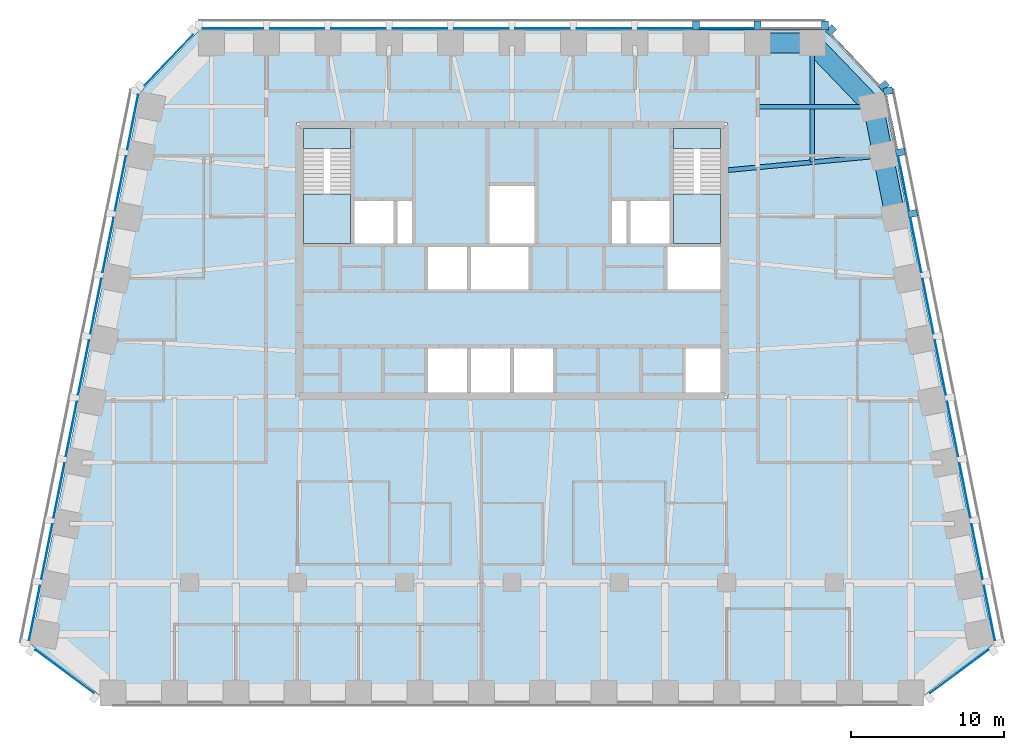
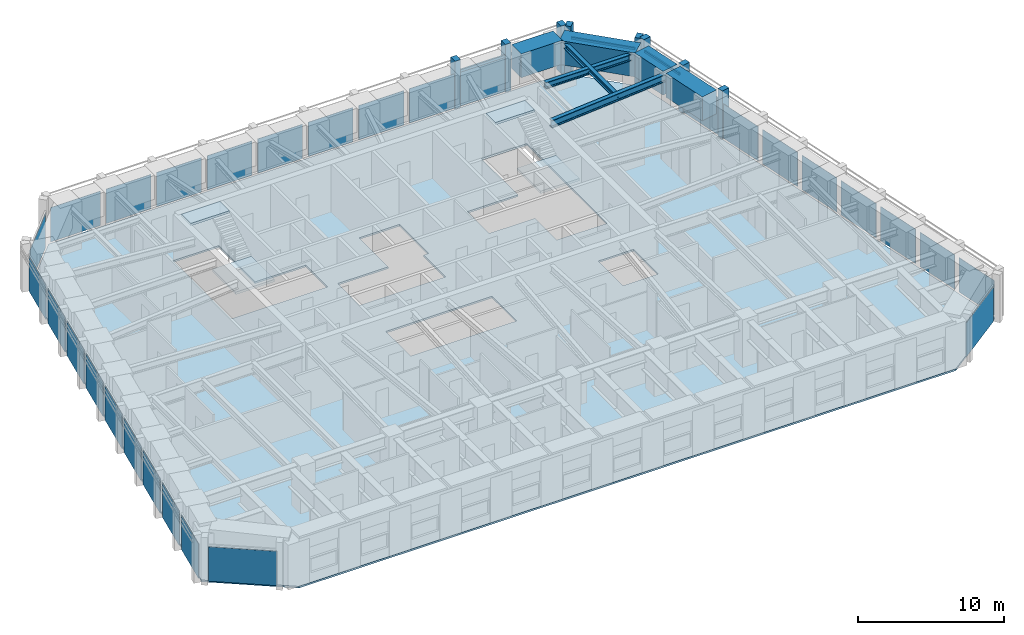
# One storey, part 4 of 11: 29 plates, 13 members, 7 beams, 5 slabs, 9 elements without a shape of their own.
"""IFC4 building model written with IfcOpenShell, lengths in metres."""

from ifc_helpers import new_model, si_unit, direction, frame, origin, origin_2d, place, context, subcontext, project, spatial, polyline, rectangle, i_section, outline, extrude, material, layer, layer_set, material_profile, profile_set, type_object, element, aggregate, save


model = new_model("IFC4")

# Units and contexts
model_context = context("Model", 3, precision=1e-05, world=origin(), true_north=direction((0.0, 1.0)))
body_context = subcontext(model_context, "Body", "Model", "MODEL_VIEW")
ifc_project = project(units=[si_unit("LENGTHUNIT", "METRE"), si_unit("AREAUNIT", "SQUARE_METRE"), si_unit("VOLUMEUNIT", "CUBIC_METRE"), si_unit("PLANEANGLEUNIT", "RADIAN"), si_unit("MASSUNIT", "GRAM", prefix="KILO")], contexts=[model_context])

# Site, building, storey
site_placement = place(None, origin())
site = spatial("IfcSite", under=ifc_project, at=site_placement, CompositionType="ELEMENT")
building_placement = place(site_placement, origin())
building = spatial("IfcBuilding", under=site, at=building_placement, Name="Isbrekke Arena Tower", CompositionType="ELEMENT")
storey_placement = place(building_placement, frame((0.0, 0.0, 268.0)))
storey = spatial("IfcBuildingStorey", under=building, at=storey_placement, Name="L62", CompositionType="ELEMENT", Elevation=268.0)

# Beams
ifc_material_1 = material(Name="Steel S355", Category="steel")
ifc_material_profile_1 = material_profile(ifc_material_1, i_section(OverallWidth=0.304931640625, OverallDepth=0.6201171875, WebThickness=0.02099609375, FlangeThickness=0.0400390625, FilletRadius=0.027099609375, at=origin_2d()), Name="HEM 600")
ifc_profile_set_1 = profile_set([ifc_material_profile_1], Name="Steel S355")
beam_type_1 = type_object("IfcBeamType", Name="B4 HEM 600", PredefinedType="BEAM", material=ifc_profile_set_1)
beam_1_placement = place(storey_placement, frame((24.02685546875, 21.8369140625, 3.5400390625), z_axis=(-0.995574576627, -0.093974796485, 0.0), x_axis=(0.093974796485, -0.995574576627, 0.0)))
element("IfcBeam", 1, at=beam_1_placement, inside=storey, type_object=beam_type_1, Name="B4 beam E-E09 L62", PredefinedType="BEAM", context=body_context, shape_type="SweptSolid", body=[
    extrude(i_section(OverallWidth=0.304931640625, OverallDepth=0.6201171875, WebThickness=0.02099609375, FlangeThickness=0.0400390625, FilletRadius=0.027099609375, at=origin_2d()), origin(), (0.0, 0.0, 1.0), 9.970947265625),
])
ifc_material_2 = material(Name="Steel S355", Category="steel")
ifc_material_profile_2 = material_profile(ifc_material_2, i_section(OverallWidth=0.305908203125, OverallDepth=0.52392578125, WebThickness=0.02099609375, FlangeThickness=0.0400390625, FilletRadius=0.027099609375, at=origin_2d()), Name="HEM 500")
ifc_profile_set_2 = profile_set([ifc_material_profile_2], Name="Steel S355")
beam_type_2 = type_object("IfcBeamType", Name="B5 HEM 500", PredefinedType="BEAM", material=ifc_profile_set_2)
beam_2_placement = place(storey_placement, frame((23.40283203125, 25.029296875, 3.587890625), z_axis=(-1.0, 0.0, 0.0), x_axis=(0.0, -1.0, 0.0)))
element("IfcBeam", 2, at=beam_2_placement, inside=storey, type_object=beam_type_2, Name="B5 beam E-E10 L62", PredefinedType="BEAM", context=body_context, shape_type="SweptSolid", body=[
    extrude(i_section(OverallWidth=0.305908203125, OverallDepth=0.52392578125, WebThickness=0.02099609375, FlangeThickness=0.0400390625, FilletRadius=0.027099609375, at=origin_2d()), origin(), (0.0, 0.0, 1.0), 7.40283203125),
])
ifc_material_3 = material(Name="Steel S355", Category="steel")
ifc_material_profile_3 = material_profile(ifc_material_3, i_section(OverallWidth=0.306884765625, OverallDepth=0.431884765625, WebThickness=0.02099609375, FlangeThickness=0.0400390625, FilletRadius=0.027099609375, at=origin_2d()), Name="HEM 400")
ifc_profile_set_3 = profile_set([ifc_material_profile_3], Name="Steel S355")
beam_type_3 = type_object("IfcBeamType", Name="B6 HEM 400", PredefinedType="BEAM", material=ifc_profile_set_3)
beam_3_placement = place(storey_placement, frame((19.574951171875, 29.02490234375, 3.634033203125), z_axis=(0.0, -1.0, 0.0), x_axis=(1.0, 0.0, 0.0)))
element("IfcBeam", 3, at=beam_3_placement, inside=storey, type_object=beam_type_3, Name="B6 beam N-N01 L62", PredefinedType="BEAM", context=body_context, shape_type="SweptSolid", body=[
    extrude(i_section(OverallWidth=0.306884765625, OverallDepth=0.431884765625, WebThickness=0.02099609375, FlangeThickness=0.0400390625, FilletRadius=0.027099609375, at=origin_2d()), origin(), (0.0, 0.0, 1.0), 7.608154296875),
])

# Curtain wall, members
ifc_material_4 = material(Name="Glazed aluminium curtain wall", Category="aluminium")
curtain_wall_type = type_object("IfcCurtainWallType", Name="CWT TOWER CURTAIN WALL TOP ZONE", PredefinedType="USERDEFINED", material=ifc_material_4)
curtain_wall_1_placement = place(storey_placement, origin())
curtain_wall_1 = element("IfcCurtainWall", 4, at=curtain_wall_1_placement, inside=storey, type_object=curtain_wall_type, Name="CWT curtain wall L62-E", ObjectType="TOWER CURTAIN WALL TOP ZONE", PredefinedType="USERDEFINED")
ifc_material_5 = material(Name="Copper-clad aluminium mullion", Category="aluminium")
ifc_material_profile_4 = material_profile(ifc_material_5, rectangle(XDim=0.449951171875, YDim=0.60009765625, at=origin_2d()), Name="PIER 450X600")
ifc_profile_set_4 = profile_set([ifc_material_profile_4], Name="Copper-clad aluminium mullion")
member_type_1 = type_object("IfcMemberType", Name="CWT-M PIER MULLION 450 x 600", PredefinedType="MULLION", material=ifc_profile_set_4)
member_1_placement = place(storey_placement, frame((26.11865234375, 18.063720703125, 0.0), z_axis=(0.0, 0.0, 1.0), x_axis=(-0.196116135138, 0.980580675691, 0.0)))
member_1 = element("IfcMember", 5, at=member_1_placement, type_object=member_type_1, Name="CWT-M mullion 8", PredefinedType="MULLION", context=body_context, shape_type="SweptSolid", body=[
    extrude(rectangle(XDim=0.449951171875, YDim=0.60009765625, at=origin_2d()), origin(), (0.0, 0.0, 1.0), 4.0),
])
member_2_placement = place(storey_placement, frame((25.318603515625, 22.063720703125, 0.0), z_axis=(0.0, 0.0, 1.0), x_axis=(-0.196116135138, 0.980580675691, 0.0)))
member_2 = element("IfcMember", 6, at=member_2_placement, type_object=member_type_1, Name="CWT-M mullion 9", PredefinedType="MULLION", context=body_context, shape_type="SweptSolid", body=[
    extrude(rectangle(XDim=0.449951171875, YDim=0.60009765625, at=origin_2d()), origin(), (0.0, 0.0, 1.0), 4.0),
])
member_3_placement = place(storey_placement, frame((24.518798828125, 26.063720703125, 0.0), z_axis=(0.0, 0.0, 1.0), x_axis=(-0.196116135138, 0.980580675691, 0.0)))
member_3 = element("IfcMember", 7, at=member_3_placement, type_object=member_type_1, Name="CWT-M mullion 10", PredefinedType="MULLION", context=body_context, shape_type="SweptSolid", body=[
    extrude(rectangle(XDim=0.449951171875, YDim=0.60009765625, at=origin_2d()), origin(), (0.0, 0.0, 1.0), 4.0),
])

curtain_wall_2_placement = place(storey_placement, origin())
curtain_wall_2 = element("IfcCurtainWall", 8, at=curtain_wall_2_placement, inside=storey, type_object=curtain_wall_type, Name="CWT curtain wall L62-EN", ObjectType="TOWER CURTAIN WALL TOP ZONE", PredefinedType="USERDEFINED")
member_4_placement = place(storey_placement, frame((24.244384765625, 26.388671875, 0.0), z_axis=(0.0, 0.0, 1.0), x_axis=(-0.68874946192, 0.72499943359, 0.0)))
member_4 = element("IfcMember", 9, at=member_4_placement, type_object=member_type_1, Name="CWT-M mullion 1", PredefinedType="MULLION", context=body_context, shape_type="SweptSolid", body=[
    extrude(rectangle(XDim=0.449951171875, YDim=0.60009765625, at=origin_2d()), origin(), (0.0, 0.0, 1.0), 4.0),
])
member_5_placement = place(storey_placement, frame((20.795166015625, 30.019775390625, 0.0), z_axis=(0.0, 0.0, 1.0), x_axis=(-0.68874946192, 0.72499943359, 0.0)))
member_5 = element("IfcMember", 10, at=member_5_placement, type_object=member_type_1, Name="CWT-M mullion 2", PredefinedType="MULLION", context=body_context, shape_type="SweptSolid", body=[
    extrude(rectangle(XDim=0.449951171875, YDim=0.60009765625, at=origin_2d()), origin(), (0.0, 0.0, 1.0), 4.0),
])

curtain_wall_3_placement = place(storey_placement, origin())
curtain_wall_3 = element("IfcCurtainWall", 11, at=curtain_wall_3_placement, inside=storey, type_object=curtain_wall_type, Name="CWT curtain wall L62-N", ObjectType="TOWER CURTAIN WALL TOP ZONE", PredefinedType="USERDEFINED")
member_6_placement = place(storey_placement, frame((20.39990234375, 30.324951171875, 0.0), z_axis=(0.0, 0.0, 1.0), x_axis=(-1.0, 0.0, 0.0)))
member_6 = element("IfcMember", 12, at=member_6_placement, type_object=member_type_1, Name="CWT-M mullion 1", PredefinedType="MULLION", context=body_context, shape_type="SweptSolid", body=[
    extrude(rectangle(XDim=0.449951171875, YDim=0.60009765625, at=origin_2d()), origin(), (0.0, 0.0, 1.0), 4.0),
])
member_7_placement = place(storey_placement, frame((16.0, 30.324951171875, 0.0), z_axis=(0.0, 0.0, 1.0), x_axis=(-1.0, 0.0, 0.0)))
member_7 = element("IfcMember", 13, at=member_7_placement, type_object=member_type_1, Name="CWT-M mullion 2", PredefinedType="MULLION", context=body_context, shape_type="SweptSolid", body=[
    extrude(rectangle(XDim=0.449951171875, YDim=0.60009765625, at=origin_2d()), origin(), (0.0, 0.0, 1.0), 4.0),
])
member_8_placement = place(storey_placement, frame((12.0, 30.324951171875, 0.0), z_axis=(0.0, 0.0, 1.0), x_axis=(-1.0, 0.0, 0.0)))
member_8 = element("IfcMember", 14, at=member_8_placement, type_object=member_type_1, Name="CWT-M mullion 3", PredefinedType="MULLION", context=body_context, shape_type="SweptSolid", body=[
    extrude(rectangle(XDim=0.449951171875, YDim=0.60009765625, at=origin_2d()), origin(), (0.0, 0.0, 1.0), 4.0),
])

# Member
ifc_material_6 = material(Name="Aluminium transom", Category="aluminium")
ifc_material_profile_5 = material_profile(ifc_material_6, rectangle(XDim=0.1201171875, YDim=0.199951171875, at=origin_2d()), Name="TRANSOM 120X200")
ifc_profile_set_5 = profile_set([ifc_material_profile_5], Name="Aluminium transom")
member_type_2 = type_object("IfcMemberType", Name="CWT-T TRANSOM 120 x 200", PredefinedType="USERDEFINED", material=ifc_profile_set_5)
member_9_placement = place(storey_placement, frame((25.87841796875, 18.2451171875, 3.0), z_axis=(-0.196090262229, 0.980585849918, 0.0), x_axis=(-0.980585849918, -0.196090262229, 0.0)))
member_9 = element("IfcMember", 15, at=member_9_placement, type_object=member_type_2, Name="CWT-T transom 8", ObjectType="TRANSOM", PredefinedType="USERDEFINED", context=body_context, shape_type="SweptSolid", body=[
    extrude(rectangle(XDim=0.1201171875, YDim=0.199951171875, at=origin_2d()), origin(), (0.0, 0.0, 1.0), 3.62939453125),
])

member_10_placement = place(storey_placement, frame((25.078369140625, 22.2451171875, 3.0), z_axis=(-0.196090262229, 0.980585849918, 0.0), x_axis=(-0.980585849918, -0.196090262229, 0.0)))
member_10 = element("IfcMember", 16, at=member_10_placement, type_object=member_type_2, Name="CWT-T transom 9", ObjectType="TRANSOM", PredefinedType="USERDEFINED", context=body_context, shape_type="SweptSolid", body=[
    extrude(rectangle(XDim=0.1201171875, YDim=0.199951171875, at=origin_2d()), origin(), (0.0, 0.0, 1.0), 3.62939453125),
])

member_11_placement = place(storey_placement, frame((23.944580078125, 26.4140625, 3.0), z_axis=(-0.688771983213, 0.724978037696, 0.0), x_axis=(-0.724978037696, -0.688771983213, 0.0)))
member_11 = element("IfcMember", 17, at=member_11_placement, type_object=member_type_2, Name="CWT-T transom 1", ObjectType="TRANSOM", PredefinedType="USERDEFINED", context=body_context, shape_type="SweptSolid", body=[
    extrude(rectangle(XDim=0.1201171875, YDim=0.199951171875, at=origin_2d()), origin(), (0.0, 0.0, 1.0), 4.558349609375),
])

aggregate(curtain_wall_2, [member_4, member_5, member_11])

member_12_placement = place(storey_placement, frame((20.175048828125, 30.125, 3.0), z_axis=(-1.0, 0.0, 0.0), x_axis=(0.0, -1.0, 0.0)))
member_12 = element("IfcMember", 18, at=member_12_placement, type_object=member_type_2, Name="CWT-T transom 1", ObjectType="TRANSOM", PredefinedType="USERDEFINED", context=body_context, shape_type="SweptSolid", body=[
    extrude(rectangle(XDim=0.1201171875, YDim=0.199951171875, at=origin_2d()), origin(), (0.0, 0.0, 1.0), 3.949951171875),
])

member_13_placement = place(storey_placement, frame((15.77490234375, 30.125, 3.0), z_axis=(-1.0, 0.0, 0.0), x_axis=(0.0, -1.0, 0.0)))
member_13 = element("IfcMember", 19, at=member_13_placement, type_object=member_type_2, Name="CWT-T transom 2", ObjectType="TRANSOM", PredefinedType="USERDEFINED", context=body_context, shape_type="SweptSolid", body=[
    extrude(rectangle(XDim=0.1201171875, YDim=0.199951171875, at=origin_2d()), origin(), (0.0, 0.0, 1.0), 3.5498046875),
])

# Beams
ifc_material_7 = material(Name="Concrete B55 (C55/67)", Category="concrete")
ifc_material_profile_6 = material_profile(ifc_material_7, rectangle(XDim=1.300048828125, YDim=2.0, at=origin_2d()), Name="RC 1300x2000")
ifc_profile_set_6 = profile_set([ifc_material_profile_6], Name="Concrete B55 (C55/67)")
beam_type_4 = type_object("IfcBeamType", Name="SB4 RC 1300 x 2000", PredefinedType="SPANDREL", material=ifc_profile_set_6)
beam_4_placement = place(storey_placement, frame((24.961669921875, 17.9853515625, 3.0), z_axis=(-0.196128558387, 0.980578190959, 0.0), x_axis=(-0.980578190959, -0.196128558387, 0.0)))
element("IfcBeam", 20, at=beam_4_placement, inside=storey, type_object=beam_type_4, Name="SB4 spandrel E08-E09 L62", PredefinedType="SPANDREL", context=body_context, shape_type="SweptSolid", body=[
    extrude(rectangle(XDim=1.300048828125, YDim=2.0, at=origin_2d()), origin(), (0.0, 0.0, 1.0), 3.779296875),
])
beam_5_placement = place(storey_placement, frame((24.16162109375, 21.9853515625, 3.0), z_axis=(-0.196116135138, 0.980580675691, 0.0), x_axis=(-0.980580675691, -0.196116135138, 0.0)))
element("IfcBeam", 21, at=beam_5_placement, inside=storey, type_object=beam_type_4, Name="SB4 spandrel E09-E10 L62", PredefinedType="SPANDREL", context=body_context, shape_type="SweptSolid", body=[
    extrude(rectangle(XDim=1.300048828125, YDim=2.0, at=origin_2d()), origin(), (0.0, 0.0, 1.0), 2.9541015625),
])
beam_6_placement = place(storey_placement, frame((23.448974609375, 25.137451171875, 3.0), z_axis=(-0.692339547635, 0.721571861134, 0.0), x_axis=(-0.721571861134, -0.692339547635, 0.0)))
element("IfcBeam", 22, at=beam_6_placement, inside=storey, type_object=beam_type_4, Name="SB4 spandrel E10-N01 L62", PredefinedType="SPANDREL", context=body_context, shape_type="SweptSolid", body=[
    extrude(rectangle(XDim=1.300048828125, YDim=2.0, at=origin_2d()), origin(), (0.0, 0.0, 1.0), 5.4453125),
])
beam_7_placement = place(storey_placement, frame((19.425048828125, 29.175048828125, 3.0), z_axis=(-1.0, 0.0, 0.0), x_axis=(0.0, -1.0, 0.0)))
element("IfcBeam", 23, at=beam_7_placement, inside=storey, type_object=beam_type_4, Name="SB4 spandrel N01-N02 L62", PredefinedType="SPANDREL", context=body_context, shape_type="SweptSolid", body=[
    extrude(rectangle(XDim=1.300048828125, YDim=2.0, at=origin_2d()), origin(), (0.0, 0.0, 1.0), 3.275146484375),
])

# Curtain wall, plate
curtain_wall_4_placement = place(storey_placement, origin())
curtain_wall_4 = element("IfcCurtainWall", 24, at=curtain_wall_4_placement, inside=storey, type_object=curtain_wall_type, Name="CWT curtain wall L62-SE", ObjectType="TOWER CURTAIN WALL TOP ZONE", PredefinedType="USERDEFINED")
ifc_material_8 = material(Name="Triple-glazed clear glass unit", Category="glass")
ifc_layer_1 = layer(ifc_material_8, 0.031982421875)
ifc_layer_set_1 = layer_set([ifc_layer_1], Name="CWT-P VISION PANEL")
plate_type = type_object("IfcPlateType", Name="CWT-P VISION PANEL", PredefinedType="CURTAIN_PANEL", material=ifc_layer_set_1)
plate_1_placement = place(storey_placement, frame((29.16259765625, -11.78173828125, 0.02001953125), z_axis=(0.0, 0.0, 1.0), x_axis=(0.803557193345, 0.595227550626, 0.0)))
plate_1 = element("IfcPlate", 25, at=plate_1_placement, type_object=plate_type, Name="CWT-P panel 1", PredefinedType="CURTAIN_PANEL", context=body_context, shape_type="SweptSolid", body=[
    extrude(rectangle(XDim=4.71435546875, YDim=0.031982421875, at=origin_2d()), origin(), (0.0, 0.0, 1.0), 2.8798828125),
])
aggregate(curtain_wall_4, [plate_1])

# Plate
plate_2_placement = place(storey_placement, frame((31.12255859375, -7.9755859375, 0.02001953125), z_axis=(0.0, 0.0, 1.0), x_axis=(-0.196116135138, 0.980580675691, 0.0)))
plate_2 = element("IfcPlate", 26, at=plate_2_placement, type_object=plate_type, Name="CWT-P panel 1", PredefinedType="CURTAIN_PANEL", context=body_context, shape_type="SweptSolid", body=[
    extrude(rectangle(XDim=3.629150390625, YDim=0.031982421875, at=origin_2d()), origin(), (0.0, 0.0, 1.0), 2.8798828125),
])

plate_3_placement = place(storey_placement, frame((30.322509765625, -3.9755859375, 0.02001953125), z_axis=(0.0, 0.0, 1.0), x_axis=(-0.196116135138, 0.980580675691, 0.0)))
plate_3 = element("IfcPlate", 27, at=plate_3_placement, type_object=plate_type, Name="CWT-P panel 2", PredefinedType="CURTAIN_PANEL", context=body_context, shape_type="SweptSolid", body=[
    extrude(rectangle(XDim=3.629150390625, YDim=0.031982421875, at=origin_2d()), origin(), (0.0, 0.0, 1.0), 2.8798828125),
])

plate_4_placement = place(storey_placement, frame((29.5224609375, 0.0244140625, 0.02001953125), z_axis=(0.0, 0.0, 1.0), x_axis=(-0.196116135138, 0.980580675691, 0.0)))
plate_4 = element("IfcPlate", 28, at=plate_4_placement, type_object=plate_type, Name="CWT-P panel 3", PredefinedType="CURTAIN_PANEL", context=body_context, shape_type="SweptSolid", body=[
    extrude(rectangle(XDim=3.629150390625, YDim=0.031982421875, at=origin_2d()), origin(), (0.0, 0.0, 1.0), 2.8798828125),
])

plate_5_placement = place(storey_placement, frame((28.72265625, 4.0244140625, 0.02001953125), z_axis=(0.0, 0.0, 1.0), x_axis=(-0.196116135138, 0.980580675691, 0.0)))
plate_5 = element("IfcPlate", 29, at=plate_5_placement, type_object=plate_type, Name="CWT-P panel 4", PredefinedType="CURTAIN_PANEL", context=body_context, shape_type="SweptSolid", body=[
    extrude(rectangle(XDim=3.629150390625, YDim=0.031982421875, at=origin_2d()), origin(), (0.0, 0.0, 1.0), 2.8798828125),
])

plate_6_placement = place(storey_placement, frame((27.922607421875, 8.0244140625, 0.02001953125), z_axis=(0.0, 0.0, 1.0), x_axis=(-0.196116135138, 0.980580675691, 0.0)))
plate_6 = element("IfcPlate", 30, at=plate_6_placement, type_object=plate_type, Name="CWT-P panel 5", PredefinedType="CURTAIN_PANEL", context=body_context, shape_type="SweptSolid", body=[
    extrude(rectangle(XDim=3.629150390625, YDim=0.031982421875, at=origin_2d()), origin(), (0.0, 0.0, 1.0), 2.8798828125),
])

plate_7_placement = place(storey_placement, frame((27.12255859375, 12.0244140625, 0.02001953125), z_axis=(0.0, 0.0, 1.0), x_axis=(-0.196116135138, 0.980580675691, 0.0)))
plate_7 = element("IfcPlate", 31, at=plate_7_placement, type_object=plate_type, Name="CWT-P panel 6", PredefinedType="CURTAIN_PANEL", context=body_context, shape_type="SweptSolid", body=[
    extrude(rectangle(XDim=3.629150390625, YDim=0.031982421875, at=origin_2d()), origin(), (0.0, 0.0, 1.0), 2.8798828125),
])

plate_8_placement = place(storey_placement, frame((26.322509765625, 16.0244140625, 0.02001953125), z_axis=(0.0, 0.0, 1.0), x_axis=(-0.196116135138, 0.980580675691, 0.0)))
plate_8 = element("IfcPlate", 32, at=plate_8_placement, type_object=plate_type, Name="CWT-P panel 7", PredefinedType="CURTAIN_PANEL", context=body_context, shape_type="SweptSolid", body=[
    extrude(rectangle(XDim=3.629150390625, YDim=0.031982421875, at=origin_2d()), origin(), (0.0, 0.0, 1.0), 2.8798828125),
])

plate_9_placement = place(storey_placement, frame((25.5224609375, 20.0244140625, 0.02001953125), z_axis=(0.0, 0.0, 1.0), x_axis=(-0.196116135138, 0.980580675691, 0.0)))
plate_9 = element("IfcPlate", 33, at=plate_9_placement, type_object=plate_type, Name="CWT-P panel 8", PredefinedType="CURTAIN_PANEL", context=body_context, shape_type="SweptSolid", body=[
    extrude(rectangle(XDim=3.629150390625, YDim=0.031982421875, at=origin_2d()), origin(), (0.0, 0.0, 1.0), 2.8798828125),
])

aggregate(curtain_wall_1, [member_1, member_2, member_3, plate_2, plate_3, plate_4, plate_5, plate_6, plate_7, plate_8, member_9, plate_9, member_10])

plate_10_placement = place(storey_placement, frame((14.0, 30.125, 0.02001953125), z_axis=(0.0, 0.0, 1.0), x_axis=(-1.0, 0.0, 0.0)))
plate_10 = element("IfcPlate", 34, at=plate_10_placement, type_object=plate_type, Name="CWT-P panel 2", PredefinedType="CURTAIN_PANEL", context=body_context, shape_type="SweptSolid", body=[
    extrude(rectangle(XDim=3.550048828125, YDim=0.031982421875, at=origin_2d()), origin(), (0.0, 0.0, 1.0), 2.8798828125),
])

plate_11_placement = place(storey_placement, frame((10.0, 30.125, 0.02001953125), z_axis=(0.0, 0.0, 1.0), x_axis=(-1.0, 0.0, 0.0)))
plate_11 = element("IfcPlate", 35, at=plate_11_placement, type_object=plate_type, Name="CWT-P panel 3", PredefinedType="CURTAIN_PANEL", context=body_context, shape_type="SweptSolid", body=[
    extrude(rectangle(XDim=3.550048828125, YDim=0.031982421875, at=origin_2d()), origin(), (0.0, 0.0, 1.0), 2.8798828125),
])

plate_12_placement = place(storey_placement, frame((6.0, 30.125, 0.02001953125), z_axis=(0.0, 0.0, 1.0), x_axis=(-1.0, 0.0, 0.0)))
plate_12 = element("IfcPlate", 36, at=plate_12_placement, type_object=plate_type, Name="CWT-P panel 4", PredefinedType="CURTAIN_PANEL", context=body_context, shape_type="SweptSolid", body=[
    extrude(rectangle(XDim=3.550048828125, YDim=0.031982421875, at=origin_2d()), origin(), (0.0, 0.0, 1.0), 2.8798828125),
])

plate_13_placement = place(storey_placement, frame((2.0, 30.125, 0.02001953125), z_axis=(0.0, 0.0, 1.0), x_axis=(-1.0, 0.0, 0.0)))
plate_13 = element("IfcPlate", 37, at=plate_13_placement, type_object=plate_type, Name="CWT-P panel 5", PredefinedType="CURTAIN_PANEL", context=body_context, shape_type="SweptSolid", body=[
    extrude(rectangle(XDim=3.550048828125, YDim=0.031982421875, at=origin_2d()), origin(), (0.0, 0.0, 1.0), 2.8798828125),
])

plate_14_placement = place(storey_placement, frame((-2.0, 30.125, 0.02001953125), z_axis=(0.0, 0.0, 1.0), x_axis=(-1.0, 0.0, 0.0)))
plate_14 = element("IfcPlate", 38, at=plate_14_placement, type_object=plate_type, Name="CWT-P panel 6", PredefinedType="CURTAIN_PANEL", context=body_context, shape_type="SweptSolid", body=[
    extrude(rectangle(XDim=3.550048828125, YDim=0.031982421875, at=origin_2d()), origin(), (0.0, 0.0, 1.0), 2.8798828125),
])

plate_15_placement = place(storey_placement, frame((-6.0, 30.125, 0.02001953125), z_axis=(0.0, 0.0, 1.0), x_axis=(-1.0, 0.0, 0.0)))
plate_15 = element("IfcPlate", 39, at=plate_15_placement, type_object=plate_type, Name="CWT-P panel 7", PredefinedType="CURTAIN_PANEL", context=body_context, shape_type="SweptSolid", body=[
    extrude(rectangle(XDim=3.550048828125, YDim=0.031982421875, at=origin_2d()), origin(), (0.0, 0.0, 1.0), 2.8798828125),
])

plate_16_placement = place(storey_placement, frame((-10.0, 30.125, 0.02001953125), z_axis=(0.0, 0.0, 1.0), x_axis=(-1.0, 0.0, 0.0)))
plate_16 = element("IfcPlate", 40, at=plate_16_placement, type_object=plate_type, Name="CWT-P panel 8", PredefinedType="CURTAIN_PANEL", context=body_context, shape_type="SweptSolid", body=[
    extrude(rectangle(XDim=3.550048828125, YDim=0.031982421875, at=origin_2d()), origin(), (0.0, 0.0, 1.0), 2.8798828125),
])

plate_17_placement = place(storey_placement, frame((-14.0, 30.125, 0.02001953125), z_axis=(0.0, 0.0, 1.0), x_axis=(-1.0, 0.0, 0.0)))
plate_17 = element("IfcPlate", 41, at=plate_17_placement, type_object=plate_type, Name="CWT-P panel 9", PredefinedType="CURTAIN_PANEL", context=body_context, shape_type="SweptSolid", body=[
    extrude(rectangle(XDim=3.550048828125, YDim=0.031982421875, at=origin_2d()), origin(), (0.0, 0.0, 1.0), 2.8798828125),
])

plate_18_placement = place(storey_placement, frame((-18.199951171875, 30.125, 0.02001953125), z_axis=(0.0, 0.0, 1.0), x_axis=(-1.0, 0.0, 0.0)))
plate_18 = element("IfcPlate", 42, at=plate_18_placement, type_object=plate_type, Name="CWT-P panel 10", PredefinedType="CURTAIN_PANEL", context=body_context, shape_type="SweptSolid", body=[
    extrude(rectangle(XDim=3.949951171875, YDim=0.031982421875, at=origin_2d()), origin(), (0.0, 0.0, 1.0), 2.8798828125),
])

aggregate(curtain_wall_3, [member_6, member_7, member_8, member_12, member_13, plate_10, plate_11, plate_12, plate_13, plate_14, plate_15, plate_16, plate_17, plate_18])

# Curtain wall, plate
curtain_wall_5_placement = place(storey_placement, origin())
curtain_wall_5 = element("IfcCurtainWall", 43, at=curtain_wall_5_placement, inside=storey, type_object=curtain_wall_type, Name="CWT curtain wall L62-NW", ObjectType="TOWER CURTAIN WALL TOP ZONE", PredefinedType="USERDEFINED")
plate_19_placement = place(storey_placement, frame((-22.37451171875, 28.066650390625, 0.02001953125), z_axis=(0.0, 0.0, 1.0), x_axis=(-0.68874946192, -0.72499943359, 0.0)))
plate_19 = element("IfcPlate", 44, at=plate_19_placement, type_object=plate_type, Name="CWT-P panel 1", PredefinedType="CURTAIN_PANEL", context=body_context, shape_type="SweptSolid", body=[
    extrude(rectangle(XDim=4.557373046875, YDim=0.031982421875, at=origin_2d()), origin(), (0.0, 0.0, 1.0), 2.8798828125),
])
aggregate(curtain_wall_5, [plate_19])

# Curtain wall, plates
curtain_wall_6_placement = place(storey_placement, origin())
curtain_wall_6 = element("IfcCurtainWall", 45, at=curtain_wall_6_placement, inside=storey, type_object=curtain_wall_type, Name="CWT curtain wall L62-W", ObjectType="TOWER CURTAIN WALL TOP ZONE", PredefinedType="USERDEFINED")
plate_20_placement = place(storey_placement, frame((-24.72265625, 24.0244140625, 0.02001953125), z_axis=(0.0, 0.0, 1.0), x_axis=(-0.196116135138, -0.980580675691, 0.0)))
plate_20 = element("IfcPlate", 46, at=plate_20_placement, type_object=plate_type, Name="CWT-P panel 1", PredefinedType="CURTAIN_PANEL", context=body_context, shape_type="SweptSolid", body=[
    extrude(rectangle(XDim=3.629150390625, YDim=0.031982421875, at=origin_2d()), origin(), (0.0, 0.0, 1.0), 2.8798828125),
])
plate_21_placement = place(storey_placement, frame((-25.5224609375, 20.0244140625, 0.02001953125), z_axis=(0.0, 0.0, 1.0), x_axis=(-0.196116135138, -0.980580675691, 0.0)))
plate_21 = element("IfcPlate", 47, at=plate_21_placement, type_object=plate_type, Name="CWT-P panel 2", PredefinedType="CURTAIN_PANEL", context=body_context, shape_type="SweptSolid", body=[
    extrude(rectangle(XDim=3.629150390625, YDim=0.031982421875, at=origin_2d()), origin(), (0.0, 0.0, 1.0), 2.8798828125),
])
plate_22_placement = place(storey_placement, frame((-26.322509765625, 16.0244140625, 0.02001953125), z_axis=(0.0, 0.0, 1.0), x_axis=(-0.196116135138, -0.980580675691, 0.0)))
plate_22 = element("IfcPlate", 48, at=plate_22_placement, type_object=plate_type, Name="CWT-P panel 3", PredefinedType="CURTAIN_PANEL", context=body_context, shape_type="SweptSolid", body=[
    extrude(rectangle(XDim=3.629150390625, YDim=0.031982421875, at=origin_2d()), origin(), (0.0, 0.0, 1.0), 2.8798828125),
])
plate_23_placement = place(storey_placement, frame((-27.12255859375, 12.0244140625, 0.02001953125), z_axis=(0.0, 0.0, 1.0), x_axis=(-0.196116135138, -0.980580675691, 0.0)))
plate_23 = element("IfcPlate", 49, at=plate_23_placement, type_object=plate_type, Name="CWT-P panel 4", PredefinedType="CURTAIN_PANEL", context=body_context, shape_type="SweptSolid", body=[
    extrude(rectangle(XDim=3.629150390625, YDim=0.031982421875, at=origin_2d()), origin(), (0.0, 0.0, 1.0), 2.8798828125),
])
plate_24_placement = place(storey_placement, frame((-27.922607421875, 8.0244140625, 0.02001953125), z_axis=(0.0, 0.0, 1.0), x_axis=(-0.196116135138, -0.980580675691, 0.0)))
plate_24 = element("IfcPlate", 50, at=plate_24_placement, type_object=plate_type, Name="CWT-P panel 5", PredefinedType="CURTAIN_PANEL", context=body_context, shape_type="SweptSolid", body=[
    extrude(rectangle(XDim=3.629150390625, YDim=0.031982421875, at=origin_2d()), origin(), (0.0, 0.0, 1.0), 2.8798828125),
])
plate_25_placement = place(storey_placement, frame((-28.72265625, 4.0244140625, 0.02001953125), z_axis=(0.0, 0.0, 1.0), x_axis=(-0.196116135138, -0.980580675691, 0.0)))
plate_25 = element("IfcPlate", 51, at=plate_25_placement, type_object=plate_type, Name="CWT-P panel 6", PredefinedType="CURTAIN_PANEL", context=body_context, shape_type="SweptSolid", body=[
    extrude(rectangle(XDim=3.629150390625, YDim=0.031982421875, at=origin_2d()), origin(), (0.0, 0.0, 1.0), 2.8798828125),
])
plate_26_placement = place(storey_placement, frame((-29.5224609375, 0.0244140625, 0.02001953125), z_axis=(0.0, 0.0, 1.0), x_axis=(-0.196116135138, -0.980580675691, 0.0)))
plate_26 = element("IfcPlate", 52, at=plate_26_placement, type_object=plate_type, Name="CWT-P panel 7", PredefinedType="CURTAIN_PANEL", context=body_context, shape_type="SweptSolid", body=[
    extrude(rectangle(XDim=3.629150390625, YDim=0.031982421875, at=origin_2d()), origin(), (0.0, 0.0, 1.0), 2.8798828125),
])
plate_27_placement = place(storey_placement, frame((-30.322509765625, -3.9755859375, 0.02001953125), z_axis=(0.0, 0.0, 1.0), x_axis=(-0.196116135138, -0.980580675691, 0.0)))
plate_27 = element("IfcPlate", 53, at=plate_27_placement, type_object=plate_type, Name="CWT-P panel 8", PredefinedType="CURTAIN_PANEL", context=body_context, shape_type="SweptSolid", body=[
    extrude(rectangle(XDim=3.629150390625, YDim=0.031982421875, at=origin_2d()), origin(), (0.0, 0.0, 1.0), 2.8798828125),
])
plate_28_placement = place(storey_placement, frame((-31.12255859375, -7.9755859375, 0.02001953125), z_axis=(0.0, 0.0, 1.0), x_axis=(-0.196116135138, -0.980580675691, 0.0)))
plate_28 = element("IfcPlate", 54, at=plate_28_placement, type_object=plate_type, Name="CWT-P panel 9", PredefinedType="CURTAIN_PANEL", context=body_context, shape_type="SweptSolid", body=[
    extrude(rectangle(XDim=3.629150390625, YDim=0.031982421875, at=origin_2d()), origin(), (0.0, 0.0, 1.0), 2.8798828125),
])
aggregate(curtain_wall_6, [plate_20, plate_21, plate_22, plate_23, plate_24, plate_25, plate_26, plate_27, plate_28])

# Curtain wall, plate
curtain_wall_7_placement = place(storey_placement, origin())
curtain_wall_7 = element("IfcCurtainWall", 55, at=curtain_wall_7_placement, inside=storey, type_object=curtain_wall_type, Name="CWT curtain wall L62-WS", ObjectType="TOWER CURTAIN WALL TOP ZONE", PredefinedType="USERDEFINED")
plate_29_placement = place(storey_placement, frame((-29.162109375, -11.781982421875, 0.02001953125), z_axis=(0.0, 0.0, 1.0), x_axis=(0.803557193345, -0.595227550626, 0.0)))
plate_29 = element("IfcPlate", 56, at=plate_29_placement, type_object=plate_type, Name="CWT-P panel 1", PredefinedType="CURTAIN_PANEL", context=body_context, shape_type="SweptSolid", body=[
    extrude(rectangle(XDim=4.7119140625, YDim=0.031982421875, at=origin_2d()), origin(), (0.0, 0.0, 1.0), 2.8798828125),
])
aggregate(curtain_wall_7, [plate_29])

# Slab
ifc_material_9 = material(Name="Concrete B35 (C35/45)", Category="concrete")
ifc_layer_2 = layer(ifc_material_9, 0.14990234375)
ifc_layer_set_2 = layer_set([ifc_layer_2], Name="FS1 COMPOSITE FLOOR 150")
slab_type_1 = type_object("IfcSlabType", Name="FS1 COMPOSITE FLOOR 150", PredefinedType="FLOOR", material=ifc_layer_set_2)
slab_1_placement = place(storey_placement, frame((0.0, 0.0, -0.14990234375)))
element("IfcSlab", 57, at=slab_1_placement, inside=storey, type_object=slab_type_1, Name="FS1 floor slab L62", PredefinedType="FLOOR", context=body_context, shape_type="SweptSolid", body=[
    extrude(outline(polyline([(-26.0, -14.0), (26.0, -14.0), (31.39990234375, -10.0), (24.199951171875, 26.0), (20.39990234375, 30.0), (-20.39990234375, 30.0), (-24.199951171875, 26.0), (-31.39990234375, -10.0), (-26.0, -14.0)]), holes=[polyline([(2.800048828125, 9.39990234375), (2.800048828125, 6.0), (-5.60009765625, 6.0), (-5.60009765625, 9.39990234375), (2.800048828125, 9.39990234375)]), polyline([(11.199951171875, 6.0), (11.199951171875, 9.39990234375), (14.0, 9.39990234375), (14.0, 6.0), (11.199951171875, 6.0)]), polyline([(-5.60009765625, 13.0), (-5.60009765625, 16.0), (-1.60009765625, 16.0), (-1.60009765625, 20.0), (1.60009765625, 20.0), (1.60009765625, 16.0), (1.199951171875, 16.0), (1.199951171875, 13.0), (-5.60009765625, 13.0)]), polyline([(14.0, 13.0), (10.0, 13.0), (10.0, 16.0), (6.39990234375, 16.0), (6.39990234375, 19.0), (10.39990234375, 19.0), (10.39990234375, 24.0), (14.0, 24.0), (14.0, 13.0)]), polyline([(-6.39990234375, 19.0), (-6.39990234375, 16.0), (-14.0, 16.0), (-14.0, 24.0), (-10.39990234375, 24.0), (-10.39990234375, 19.0), (-6.39990234375, 19.0)])]), origin(), (0.0, 0.0, 1.0), 0.14990234375),
])

# Stair, slabs
ifc_material_10 = material(Name="Concrete B45 (C45/55) precast", Category="concrete")
stair_type = type_object("IfcStairType", Name="ST40 STAIR 1300 WIDE, 24 RISERS 167", PredefinedType="HALF_TURN_STAIR", material=ifc_material_10)
stair_1_placement = place(storey_placement, origin())
stair_1 = element("IfcStair", 58, at=stair_1_placement, inside=storey, type_object=stair_type, Name="ST1 stair L62", PredefinedType="HALF_TURN_STAIR")
ifc_material_11 = material(Name="Concrete B35 (C35/45)", Category="concrete")
ifc_layer_3 = layer(ifc_material_11, 0.199951171875)
ifc_layer_set_3 = layer_set([ifc_layer_3], Name="SL1 STAIR LANDING 200")
slab_type_2 = type_object("IfcSlabType", Name="SL1 STAIR LANDING 200", PredefinedType="LANDING", material=ifc_layer_set_3)
slab_2_placement = place(storey_placement, frame((0.0, 0.0, 1.800048828125)))
slab_2 = element("IfcSlab", 59, at=slab_2_placement, type_object=slab_type_2, Name="ST1 landing 1", PredefinedType="LANDING", context=body_context, shape_type="SweptSolid", body=[
    extrude(outline(polyline([(-13.60009765625, 16.125), (-10.52490234375, 16.125), (-10.52490234375, 19.330078125), (-13.60009765625, 19.330078125), (-13.60009765625, 16.125)])), origin(), (0.0, 0.0, 1.0), 0.199951171875),
])
slab_3_placement = place(storey_placement, frame((0.0, 0.0, 3.800048828125)))
slab_3 = element("IfcSlab", 60, at=slab_3_placement, type_object=slab_type_2, Name="ST1 landing 2", PredefinedType="LANDING", context=body_context, shape_type="SweptSolid", body=[
    extrude(outline(polyline([(-13.60009765625, 22.300048828125), (-10.52490234375, 22.300048828125), (-10.52490234375, 23.60009765625), (-13.60009765625, 23.60009765625), (-13.60009765625, 22.300048828125)])), origin(), (0.0, 0.0, 1.0), 0.199951171875),
])
aggregate(stair_1, [slab_2, slab_3])

stair_2_placement = place(storey_placement, origin())
stair_2 = element("IfcStair", 61, at=stair_2_placement, inside=storey, type_object=stair_type, Name="ST2 stair L62", PredefinedType="HALF_TURN_STAIR")
slab_4_placement = place(storey_placement, frame((0.0, 0.0, 1.800048828125)))
slab_4 = element("IfcSlab", 62, at=slab_4_placement, type_object=slab_type_2, Name="ST2 landing 1", PredefinedType="LANDING", context=body_context, shape_type="SweptSolid", body=[
    extrude(outline(polyline([(10.52490234375, 16.125), (13.60009765625, 16.125), (13.60009765625, 19.330078125), (10.52490234375, 19.330078125), (10.52490234375, 16.125)])), origin(), (0.0, 0.0, 1.0), 0.199951171875),
])
slab_5_placement = place(storey_placement, frame((0.0, 0.0, 3.800048828125)))
slab_5 = element("IfcSlab", 63, at=slab_5_placement, type_object=slab_type_2, Name="ST2 landing 2", PredefinedType="LANDING", context=body_context, shape_type="SweptSolid", body=[
    extrude(outline(polyline([(10.52490234375, 22.300048828125), (13.60009765625, 22.300048828125), (13.60009765625, 23.60009765625), (10.52490234375, 23.60009765625), (10.52490234375, 22.300048828125)])), origin(), (0.0, 0.0, 1.0), 0.199951171875),
])
aggregate(stair_2, [slab_4, slab_5])

save(model, "model.ifc")
